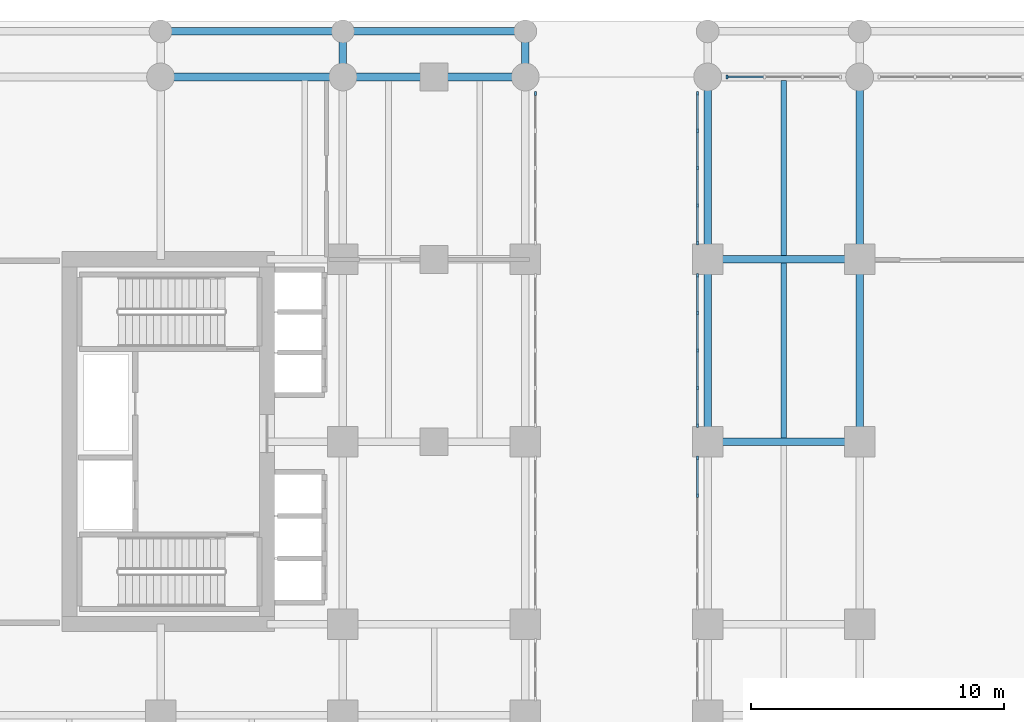
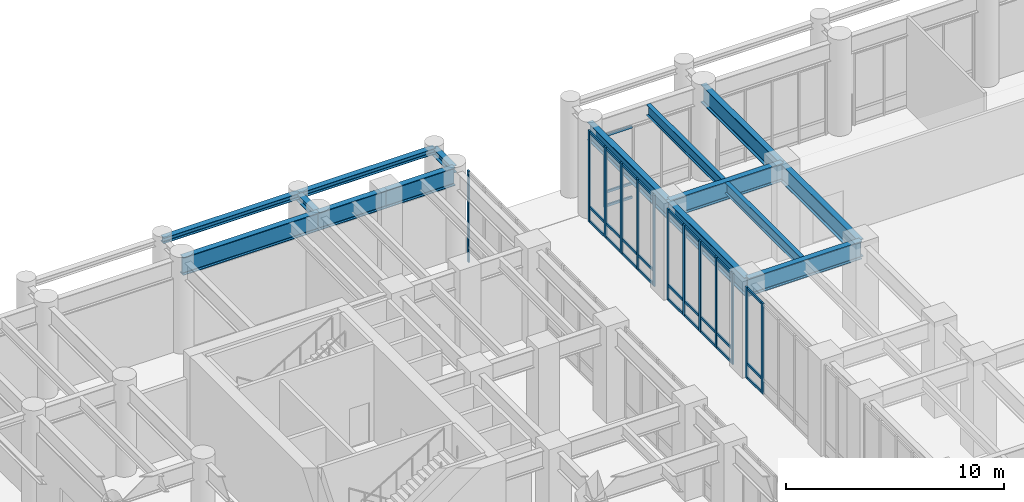
# One storey, part 7 of 23: 44 members, 15 beams, 5 elements without a shape of their own.
"""IFC4 building model written with IfcOpenShell, lengths in metres."""

from ifc_helpers import new_model, si_unit, derived_unit, direction, frame, origin, origin_2d, place, context, subcontext, project, spatial, rectangle, i_section, extrude, source, transform, mapped, material, layer, layer_set, material_profile, profile_set, type_object, type_shapes, element, aggregate, save


model = new_model("IFC4")

# Units and contexts
model_context = context("Model", 3, precision=1e-05, world=origin(), true_north=direction((0.0, 1.0)))
body_context = subcontext(model_context, "Body", "Model", "MODEL_VIEW")
ifc_project = project(units=[si_unit("LENGTHUNIT", "METRE"), si_unit("AREAUNIT", "SQUARE_METRE"), si_unit("VOLUMEUNIT", "CUBIC_METRE"), si_unit("PLANEANGLEUNIT", "RADIAN"), si_unit("MASSUNIT", "GRAM", prefix="KILO"), si_unit("THERMODYNAMICTEMPERATUREUNIT", "KELVIN"), si_unit("POWERUNIT", "WATT"), derived_unit("THERMALTRANSMITTANCEUNIT", [(si_unit("POWERUNIT", "WATT"), 1), (si_unit("AREAUNIT", "SQUARE_METRE"), -1), (si_unit("THERMODYNAMICTEMPERATUREUNIT", "KELVIN"), -1)])], contexts=[model_context])

# Site, building, storey
site_placement = place(None, origin())
site = spatial("IfcSite", under=ifc_project, at=site_placement, CompositionType="ELEMENT")
building_placement = place(site_placement, origin())
building = spatial("IfcBuilding", under=site, at=building_placement, Name="Zahravan Archway Hotel and Residences", CompositionType="ELEMENT")
storey_placement = place(building_placement, origin())
storey = spatial("IfcBuildingStorey", under=building, at=storey_placement, Name="L00", CompositionType="ELEMENT", Elevation=0.0)

# Beams
ifc_material_1 = material(Name="Structural Steel S355J2", Category="steel")
ifc_material_profile_1 = material_profile(ifc_material_1, i_section(OverallWidth=0.300048828125, OverallDepth=1.0, WebThickness=0.01904296875, FlangeThickness=0.035888671875, FilletRadius=0.030029296875, at=origin_2d()), Name="HEB 1000", Category="steel")
ifc_profile_set_1 = profile_set([ifc_material_profile_1], Name="Structural Steel S355J2")
beam_type_1 = type_object("IfcBeamType", Name="BM-PRI-HEB1000", PredefinedType="BEAM", material=ifc_profile_set_1)
shared_shape_1 = source(origin(), body_context, "Body", "SweptSolid", [
    extrude(i_section(OverallWidth=0.300048828125, OverallDepth=1.0, WebThickness=0.01904296875, FlangeThickness=0.035888671875, FilletRadius=0.030029296875, at=origin_2d()), origin(), (0.0, 0.0, 1.0), 7.199951171875),
])
for number, where, z_axis, x_axis, name in (
    (1, (7.199951171875, 46.800048828125, 4.60009765625), (1.0, 0.0, 0.0), (0.0, 1.0, 0.0), "L00 Primary Girder EW-53"),
    (2, (28.800048828125, 39.60009765625, 4.60009765625), (0.0, 1.0, 0.0), (-1.0, 0.0, 0.0), "L00 Primary Girder NS-101"),
    (3, (34.800048828125, 39.60009765625, 4.60009765625), (0.0, 1.0, 0.0), (-1.0, 0.0, 0.0), "L00 Primary Girder NS-106"),
):
    element("IfcBeam", number, at=place(storey_placement, frame(where, z_axis=z_axis, x_axis=x_axis)), inside=storey, type_object=beam_type_1, Name=name, PredefinedType="BEAM", context=body_context, shape_type="MappedRepresentation", body=[
        mapped(shared_shape_1, transform((0.0, 0.0, 0.0), scale=1.0)),
    ])
shared_shape_2 = source(origin(), body_context, "Body", "SweptSolid", [
    extrude(i_section(OverallWidth=0.300048828125, OverallDepth=1.0, WebThickness=0.01904296875, FlangeThickness=0.035888671875, FilletRadius=0.030029296875, at=origin_2d()), origin(), (0.0, 0.0, 1.0), 7.2001953125),
])
for number, where, z_axis, x_axis, name in (
    (4, (28.800048828125, 32.39990234375, 4.60009765625), (0.0, 1.0, 0.0), (-1.0, 0.0, 0.0), "L00 Primary Girder NS-100"),
    (5, (34.800048828125, 32.39990234375, 4.60009765625), (0.0, 1.0, 0.0), (-1.0, 0.0, 0.0), "L00 Primary Girder NS-105"),
):
    element("IfcBeam", number, at=place(storey_placement, frame(where, z_axis=z_axis, x_axis=x_axis)), inside=storey, type_object=beam_type_1, Name=name, PredefinedType="BEAM", context=body_context, shape_type="MappedRepresentation", body=[
        mapped(shared_shape_2, transform((0.0, 0.0, 0.0), scale=1.0)),
    ])
shared_shape_3 = source(origin(), body_context, "Body", "SweptSolid", [
    extrude(i_section(OverallWidth=0.300048828125, OverallDepth=1.0, WebThickness=0.01904296875, FlangeThickness=0.035888671875, FilletRadius=0.030029296875, at=origin_2d()), origin(), (0.0, 0.0, 1.0), 6.0),
])
for number, where, z_axis, x_axis, name in (
    (6, (28.800048828125, 32.39990234375, 4.60009765625), (1.0, 0.0, 0.0), (0.0, 1.0, 0.0), "L00 Primary Girder EW-45"),
    (7, (28.800048828125, 39.60009765625, 4.60009765625), (1.0, 0.0, 0.0), (0.0, 1.0, 0.0), "L00 Primary Girder EW-50"),
):
    element("IfcBeam", number, at=place(storey_placement, frame(where, z_axis=z_axis, x_axis=x_axis)), inside=storey, type_object=beam_type_1, Name=name, PredefinedType="BEAM", context=body_context, shape_type="MappedRepresentation", body=[
        mapped(shared_shape_3, transform((0.0, 0.0, 0.0), scale=1.0)),
    ])
shared_shape_4 = source(origin(), body_context, "Body", "SweptSolid", [
    extrude(i_section(OverallWidth=0.300048828125, OverallDepth=1.0, WebThickness=0.01904296875, FlangeThickness=0.035888671875, FilletRadius=0.030029296875, at=origin_2d()), origin(), (0.0, 0.0, 1.0), 3.60009765625),
])
for number, where, z_axis, x_axis, name in (
    (8, (14.39990234375, 46.800048828125, 4.60009765625), (1.0, 0.0, 0.0), (0.0, 1.0, 0.0), "L00 Primary Girder EW-54"),
    (9, (18.0, 46.800048828125, 4.60009765625), (1.0, 0.0, 0.0), (0.0, 1.0, 0.0), "L00 Primary Girder EW-55"),
):
    element("IfcBeam", number, at=place(storey_placement, frame(where, z_axis=z_axis, x_axis=x_axis)), inside=storey, type_object=beam_type_1, Name=name, PredefinedType="BEAM", context=body_context, shape_type="MappedRepresentation", body=[
        mapped(shared_shape_4, transform((0.0, 0.0, 0.0), scale=1.0)),
    ])
ifc_material_2 = material(Name="Structural Steel S355JR", Category="steel")
ifc_material_profile_2 = material_profile(ifc_material_2, i_section(OverallWidth=0.219970703125, OverallDepth=0.60009765625, WebThickness=0.011962890625, FlangeThickness=0.01904296875, FilletRadius=0.02392578125, at=origin_2d()), Name="IPE 600", Category="steel")
ifc_profile_set_2 = profile_set([ifc_material_profile_2], Name="Structural Steel S355JR")
beam_type_2 = type_object("IfcBeamType", Name="BM-JST-IPE600", PredefinedType="JOIST", material=ifc_profile_set_2)
shared_shape_5 = source(origin(), body_context, "Body", "SweptSolid", [
    extrude(i_section(OverallWidth=0.219970703125, OverallDepth=0.60009765625, WebThickness=0.011962890625, FlangeThickness=0.01904296875, FilletRadius=0.02392578125, at=origin_2d()), origin(), (0.0, 0.0, 1.0), 6.904052734375),
])
type_shapes(beam_type_2, [shared_shape_5])
beam_1_placement = place(storey_placement, frame((31.800048828125, 39.748046875, 4.800048828125), z_axis=(0.0, 1.0, 0.0), x_axis=(-1.0, 0.0, 0.0)))
element("IfcBeam", 10, at=beam_1_placement, inside=storey, type_object=beam_type_2, Name="L00 Composite Floor Joist 38", PredefinedType="JOIST", context=body_context, shape_type="MappedRepresentation", body=[
    mapped(shared_shape_5, transform((0.0, 0.0, 0.0), scale=1.0)),
])
shared_shape_6 = source(origin(), body_context, "Body", "SweptSolid", [
    extrude(i_section(OverallWidth=0.219970703125, OverallDepth=0.60009765625, WebThickness=0.011962890625, FlangeThickness=0.01904296875, FilletRadius=0.02392578125, at=origin_2d()), origin(), (0.0, 0.0, 1.0), 6.90380859375),
])
beam_2_placement = place(storey_placement, frame((31.800048828125, 32.548095703125, 4.800048828125), z_axis=(0.0, 1.0, 0.0), x_axis=(-1.0, 0.0, 0.0)))
element("IfcBeam", 11, at=beam_2_placement, inside=storey, type_object=beam_type_2, Name="L00 Composite Floor Joist 33", PredefinedType="JOIST", context=body_context, shape_type="MappedRepresentation", body=[
    mapped(shared_shape_6, transform((0.0, 0.0, 0.0), scale=1.0)),
])
ifc_material_profile_3 = material_profile(ifc_material_2, i_section(OverallWidth=0.300048828125, OverallDepth=0.320068359375, WebThickness=0.011474609375, FlangeThickness=0.0205078125, FilletRadius=0.027099609375, at=origin_2d()), Name="HEB 320", Category="steel")
ifc_profile_set_3 = profile_set([ifc_material_profile_3], Name="Structural Steel S355JR")
beam_type_3 = type_object("IfcBeamType", Name="BM-SPN-HEB320", PredefinedType="SPANDREL", material=ifc_profile_set_3)
shared_shape_7 = source(origin(), body_context, "Body", "SweptSolid", [
    extrude(i_section(OverallWidth=0.300048828125, OverallDepth=0.320068359375, WebThickness=0.011474609375, FlangeThickness=0.0205078125, FilletRadius=0.027099609375, at=origin_2d()), origin(), (0.0, 0.0, 1.0), 7.199951171875),
])
type_shapes(beam_type_3, [shared_shape_7])
beam_3_placement = place(storey_placement, frame((7.199951171875, 48.60009765625, 4.93994140625), z_axis=(1.0, 0.0, 0.0), x_axis=(0.0, 1.0, 0.0)))
element("IfcBeam", 12, at=beam_3_placement, inside=storey, type_object=beam_type_3, Name="L00 North Colonnade Spandrel 2", PredefinedType="SPANDREL", context=body_context, shape_type="MappedRepresentation", body=[
    mapped(shared_shape_7, transform((0.0, 0.0, 0.0), scale=1.0)),
])
shared_shape_8 = source(origin(), body_context, "Body", "SweptSolid", [
    extrude(i_section(OverallWidth=0.300048828125, OverallDepth=0.320068359375, WebThickness=0.011474609375, FlangeThickness=0.0205078125, FilletRadius=0.027099609375, at=origin_2d()), origin(), (0.0, 0.0, 1.0), 7.2001953125),
])
beam_4_placement = place(storey_placement, frame((14.39990234375, 48.60009765625, 4.93994140625), z_axis=(1.0, 0.0, 0.0), x_axis=(0.0, 1.0, 0.0)))
element("IfcBeam", 13, at=beam_4_placement, inside=storey, type_object=beam_type_3, Name="L00 North Colonnade Spandrel 3", PredefinedType="SPANDREL", context=body_context, shape_type="MappedRepresentation", body=[
    mapped(shared_shape_8, transform((0.0, 0.0, 0.0), scale=1.0)),
])
ifc_material_profile_4 = material_profile(ifc_material_2, i_section(OverallWidth=0.300048828125, OverallDepth=0.39990234375, WebThickness=0.013427734375, FlangeThickness=0.02392578125, FilletRadius=0.027099609375, at=origin_2d()), Name="HEB 400", Category="steel")
ifc_profile_set_4 = profile_set([ifc_material_profile_4], Name="Structural Steel S355JR")
beam_type_4 = type_object("IfcBeamType", Name="BM-PRI-HEB400", PredefinedType="BEAM", material=ifc_profile_set_4)
shared_shape_9 = source(origin(), body_context, "Body", "SweptSolid", [
    extrude(i_section(OverallWidth=0.300048828125, OverallDepth=0.39990234375, WebThickness=0.013427734375, FlangeThickness=0.02392578125, FilletRadius=0.027099609375, at=origin_2d()), origin(), (0.0, 0.0, 1.0), 1.800048828125),
])
for number, where, z_axis, x_axis, name in (
    (14, (14.39990234375, 46.800048828125, 4.89990234375), (0.0, 1.0, 0.0), (-1.0, 0.0, 0.0), "L00 North Colonnade Tie Girder 3"),
    (15, (21.60009765625, 46.800048828125, 4.89990234375), (0.0, 1.0, 0.0), (-1.0, 0.0, 0.0), "L00 North Colonnade Tie Girder 4"),
):
    element("IfcBeam", number, at=place(storey_placement, frame(where, z_axis=z_axis, x_axis=x_axis)), inside=storey, type_object=beam_type_4, Name=name, PredefinedType="BEAM", context=body_context, shape_type="MappedRepresentation", body=[
        mapped(shared_shape_9, transform((0.0, 0.0, 0.0), scale=1.0)),
    ])

# Curtain wall, members
ifc_material_3 = material(Name="Bronze-Anodized Unitised Aluminium & Low-E Glass", Category="aluminium")
ifc_layer = layer(ifc_material_3, 0.179931640625, Name="Bronze-Anodized Unitised Aluminium & Low-E Glass", Category="aluminium")
ifc_layer_set = layer_set([ifc_layer], Name="Bronze-Anodized Unitised Aluminium & Low-E Glass")
curtain_wall_type = type_object("IfcCurtainWallType", Name="CW-POD-ARCH", PredefinedType="NOTDEFINED", material=ifc_layer_set)
curtain_wall_1_placement = place(storey_placement, origin())
curtain_wall_1 = element("IfcCurtainWall", 16, at=curtain_wall_1_placement, inside=storey, type_object=curtain_wall_type, Name="L00 Curtain Wall CW-POD-L00-1", PredefinedType="NOTDEFINED")
ifc_material_4 = material(Name="Bronze-Anodized Extruded Aluminium", Category="aluminium")
ifc_material_profile_5 = material_profile(ifc_material_4, rectangle(XDim=0.080078125, YDim=0.159912109375, at=origin_2d()), Name="MUL 80x160", Category="aluminium")
ifc_profile_set_5 = profile_set([ifc_material_profile_5], Name="Bronze-Anodized Extruded Aluminium")
member_type_1 = type_object("IfcMemberType", Name="CWM-MUL-160", PredefinedType="MULLION", material=ifc_profile_set_5)
shared_shape_10 = source(origin(), body_context, "Body", "SweptSolid", [
    extrude(rectangle(XDim=0.080078125, YDim=0.159912109375, at=origin_2d()), origin(), (0.0, 0.0, 1.0), 4.0849609375),
])
type_shapes(member_type_1, [shared_shape_10])
member_1_placement = place(storey_placement, frame((29.56005859375, 46.800048828125, 0.0), z_axis=(0.0, 0.0, 1.0), x_axis=(1.0, 0.0, 0.0)))
member_1 = element("IfcMember", 17, at=member_1_placement, type_object=member_type_1, Name="CW-POD-L00-1 Mullion 0", PredefinedType="MULLION", context=body_context, shape_type="MappedRepresentation", body=[
    mapped(shared_shape_10, transform((0.0, 0.0, 0.0), scale=1.0)),
])
ifc_material_profile_6 = material_profile(ifc_material_4, rectangle(XDim=0.080078125, YDim=0.139892578125, at=origin_2d()), Name="TRN 80x140", Category="aluminium")
ifc_profile_set_6 = profile_set([ifc_material_profile_6], Name="Bronze-Anodized Extruded Aluminium")
member_type_2 = type_object("IfcMemberType", Name="CWM-TRN-140", PredefinedType="USERDEFINED", material=ifc_profile_set_6)
shared_shape_11 = source(origin(), body_context, "Body", "SweptSolid", [
    extrude(rectangle(XDim=0.080078125, YDim=0.139892578125, at=origin_2d()), origin(), (0.0, 0.0, 1.0), 1.4130859375),
])
type_shapes(member_type_2, [shared_shape_11])
member_2_placement = place(storey_placement, frame((29.60009765625, 46.800048828125, 0.070068359375), z_axis=(1.0, 0.0, 0.0), x_axis=(0.0, 1.0, 0.0)))
member_2 = element("IfcMember", 18, at=member_2_placement, type_object=member_type_2, Name="CW-POD-L00-1 Transom 0-1", ObjectType="TRANSOM", PredefinedType="USERDEFINED", context=body_context, shape_type="MappedRepresentation", body=[
    mapped(shared_shape_11, transform((0.0, 0.0, 0.0), scale=1.0)),
])
member_3_placement = place(storey_placement, frame((29.60009765625, 46.800048828125, 0.85009765625), z_axis=(1.0, 0.0, 0.0), x_axis=(0.0, 1.0, 0.0)))
member_3 = element("IfcMember", 19, at=member_3_placement, type_object=member_type_2, Name="CW-POD-L00-1 Transom 0-2", ObjectType="TRANSOM", PredefinedType="USERDEFINED", context=body_context, shape_type="MappedRepresentation", body=[
    mapped(shared_shape_11, transform((0.0, 0.0, 0.0), scale=1.0)),
])
member_4_placement = place(storey_placement, frame((29.60009765625, 46.800048828125, 4.014892578125), z_axis=(1.0, 0.0, 0.0), x_axis=(0.0, 1.0, 0.0)))
member_4 = element("IfcMember", 20, at=member_4_placement, type_object=member_type_2, Name="CW-POD-L00-1 Transom 0-3", ObjectType="TRANSOM", PredefinedType="USERDEFINED", context=body_context, shape_type="MappedRepresentation", body=[
    mapped(shared_shape_11, transform((0.0, 0.0, 0.0), scale=1.0)),
])
aggregate(curtain_wall_1, [member_1, member_2, member_3, member_4])

# Curtain wall, member
curtain_wall_2_placement = place(storey_placement, origin())
curtain_wall_2 = element("IfcCurtainWall", 21, at=curtain_wall_2_placement, inside=storey, type_object=curtain_wall_type, Name="L00 Curtain Wall CW-PORTW-L00-7", PredefinedType="NOTDEFINED")
shared_shape_12 = source(origin(), body_context, "Body", "SweptSolid", [
    extrude(rectangle(XDim=0.080078125, YDim=0.159912109375, at=origin_2d()), origin(), (0.0, 0.0, 1.0), 5.10009765625),
])
member_5_placement = place(storey_placement, frame((22.0, 46.15478515625, 0.0), z_axis=(0.0, 0.0, 1.0), x_axis=(1.0, 0.0, 0.0)))
member_5 = element("IfcMember", 22, at=member_5_placement, type_object=member_type_1, Name="CW-PORTW-L00-7 Mullion 4", PredefinedType="MULLION", context=body_context, shape_type="MappedRepresentation", body=[
    mapped(shared_shape_12, transform((0.0, 0.0, 0.0), scale=1.0)),
])
aggregate(curtain_wall_2, [member_5])

# Curtain wall, members
curtain_wall_3_placement = place(storey_placement, origin())
curtain_wall_3 = element("IfcCurtainWall", 23, at=curtain_wall_3_placement, inside=storey, type_object=curtain_wall_type, Name="L00 Curtain Wall CW-PORTE-L00-5", PredefinedType="NOTDEFINED")
member_6_placement = place(storey_placement, frame((28.39990234375, 30.27734375, 0.0), z_axis=(0.0, 0.0, 1.0), x_axis=(1.0, 0.0, 0.0)))
member_6 = element("IfcMember", 24, at=member_6_placement, type_object=member_type_1, Name="CW-PORTE-L00-5 Mullion 3", PredefinedType="MULLION", context=body_context, shape_type="MappedRepresentation", body=[
    mapped(shared_shape_12, transform((0.0, 0.0, 0.0), scale=1.0)),
])
member_7_placement = place(storey_placement, frame((28.39990234375, 31.7548828125, 0.0), z_axis=(0.0, 0.0, 1.0), x_axis=(1.0, 0.0, 0.0)))
member_7 = element("IfcMember", 25, at=member_7_placement, type_object=member_type_1, Name="CW-PORTE-L00-5 Mullion 4", PredefinedType="MULLION", context=body_context, shape_type="MappedRepresentation", body=[
    mapped(shared_shape_12, transform((0.0, 0.0, 0.0), scale=1.0)),
])

curtain_wall_4_placement = place(storey_placement, origin())
curtain_wall_4 = element("IfcCurtainWall", 26, at=curtain_wall_4_placement, inside=storey, type_object=curtain_wall_type, Name="L00 Curtain Wall CW-PORTE-L00-6", PredefinedType="NOTDEFINED")
member_8_placement = place(storey_placement, frame((28.39990234375, 33.045166015625, 0.0), z_axis=(0.0, 0.0, 1.0), x_axis=(1.0, 0.0, 0.0)))
member_8 = element("IfcMember", 27, at=member_8_placement, type_object=member_type_1, Name="CW-PORTE-L00-6 Mullion 0", PredefinedType="MULLION", context=body_context, shape_type="MappedRepresentation", body=[
    mapped(shared_shape_12, transform((0.0, 0.0, 0.0), scale=1.0)),
])
member_9_placement = place(storey_placement, frame((28.39990234375, 34.522705078125, 0.0), z_axis=(0.0, 0.0, 1.0), x_axis=(1.0, 0.0, 0.0)))
member_9 = element("IfcMember", 28, at=member_9_placement, type_object=member_type_1, Name="CW-PORTE-L00-6 Mullion 1", PredefinedType="MULLION", context=body_context, shape_type="MappedRepresentation", body=[
    mapped(shared_shape_12, transform((0.0, 0.0, 0.0), scale=1.0)),
])
member_10_placement = place(storey_placement, frame((28.39990234375, 36.0, 0.0), z_axis=(0.0, 0.0, 1.0), x_axis=(1.0, 0.0, 0.0)))
member_10 = element("IfcMember", 29, at=member_10_placement, type_object=member_type_1, Name="CW-PORTE-L00-6 Mullion 2", PredefinedType="MULLION", context=body_context, shape_type="MappedRepresentation", body=[
    mapped(shared_shape_12, transform((0.0, 0.0, 0.0), scale=1.0)),
])
member_11_placement = place(storey_placement, frame((28.39990234375, 37.477294921875, 0.0), z_axis=(0.0, 0.0, 1.0), x_axis=(1.0, 0.0, 0.0)))
member_11 = element("IfcMember", 30, at=member_11_placement, type_object=member_type_1, Name="CW-PORTE-L00-6 Mullion 3", PredefinedType="MULLION", context=body_context, shape_type="MappedRepresentation", body=[
    mapped(shared_shape_12, transform((0.0, 0.0, 0.0), scale=1.0)),
])
member_12_placement = place(storey_placement, frame((28.39990234375, 38.954833984375, 0.0), z_axis=(0.0, 0.0, 1.0), x_axis=(1.0, 0.0, 0.0)))
member_12 = element("IfcMember", 31, at=member_12_placement, type_object=member_type_1, Name="CW-PORTE-L00-6 Mullion 4", PredefinedType="MULLION", context=body_context, shape_type="MappedRepresentation", body=[
    mapped(shared_shape_12, transform((0.0, 0.0, 0.0), scale=1.0)),
])

curtain_wall_5_placement = place(storey_placement, origin())
curtain_wall_5 = element("IfcCurtainWall", 32, at=curtain_wall_5_placement, inside=storey, type_object=curtain_wall_type, Name="L00 Curtain Wall CW-PORTE-L00-7", PredefinedType="NOTDEFINED")
member_13_placement = place(storey_placement, frame((28.39990234375, 40.2451171875, 0.0), z_axis=(0.0, 0.0, 1.0), x_axis=(1.0, 0.0, 0.0)))
member_13 = element("IfcMember", 33, at=member_13_placement, type_object=member_type_1, Name="CW-PORTE-L00-7 Mullion 0", PredefinedType="MULLION", context=body_context, shape_type="MappedRepresentation", body=[
    mapped(shared_shape_12, transform((0.0, 0.0, 0.0), scale=1.0)),
])
member_14_placement = place(storey_placement, frame((28.39990234375, 41.72265625, 0.0), z_axis=(0.0, 0.0, 1.0), x_axis=(1.0, 0.0, 0.0)))
member_14 = element("IfcMember", 34, at=member_14_placement, type_object=member_type_1, Name="CW-PORTE-L00-7 Mullion 1", PredefinedType="MULLION", context=body_context, shape_type="MappedRepresentation", body=[
    mapped(shared_shape_12, transform((0.0, 0.0, 0.0), scale=1.0)),
])
member_15_placement = place(storey_placement, frame((28.39990234375, 43.199951171875, 0.0), z_axis=(0.0, 0.0, 1.0), x_axis=(1.0, 0.0, 0.0)))
member_15 = element("IfcMember", 35, at=member_15_placement, type_object=member_type_1, Name="CW-PORTE-L00-7 Mullion 2", PredefinedType="MULLION", context=body_context, shape_type="MappedRepresentation", body=[
    mapped(shared_shape_12, transform((0.0, 0.0, 0.0), scale=1.0)),
])
member_16_placement = place(storey_placement, frame((28.39990234375, 44.677490234375, 0.0), z_axis=(0.0, 0.0, 1.0), x_axis=(1.0, 0.0, 0.0)))
member_16 = element("IfcMember", 36, at=member_16_placement, type_object=member_type_1, Name="CW-PORTE-L00-7 Mullion 3", PredefinedType="MULLION", context=body_context, shape_type="MappedRepresentation", body=[
    mapped(shared_shape_12, transform((0.0, 0.0, 0.0), scale=1.0)),
])
member_17_placement = place(storey_placement, frame((28.39990234375, 46.15478515625, 0.0), z_axis=(0.0, 0.0, 1.0), x_axis=(1.0, 0.0, 0.0)))
member_17 = element("IfcMember", 37, at=member_17_placement, type_object=member_type_1, Name="CW-PORTE-L00-7 Mullion 4", PredefinedType="MULLION", context=body_context, shape_type="MappedRepresentation", body=[
    mapped(shared_shape_12, transform((0.0, 0.0, 0.0), scale=1.0)),
])
shared_shape_13 = source(origin(), body_context, "Body", "SweptSolid", [
    extrude(rectangle(XDim=0.080078125, YDim=0.139892578125, at=origin_2d()), origin(), (0.0, 0.0, 1.0), 1.397216796875),
])
member_18_placement = place(storey_placement, frame((28.39990234375, 41.7626953125, 0.070068359375), z_axis=(0.0, 1.0, 0.0), x_axis=(-1.0, 0.0, 0.0)))
member_18 = element("IfcMember", 38, at=member_18_placement, type_object=member_type_2, Name="CW-PORTE-L00-7 Transom 1-1", ObjectType="TRANSOM", PredefinedType="USERDEFINED", context=body_context, shape_type="MappedRepresentation", body=[
    mapped(shared_shape_13, transform((0.0, 0.0, 0.0), scale=1.0)),
])
member_19_placement = place(storey_placement, frame((28.39990234375, 41.7626953125, 0.85009765625), z_axis=(0.0, 1.0, 0.0), x_axis=(-1.0, 0.0, 0.0)))
member_19 = element("IfcMember", 39, at=member_19_placement, type_object=member_type_2, Name="CW-PORTE-L00-7 Transom 1-2", ObjectType="TRANSOM", PredefinedType="USERDEFINED", context=body_context, shape_type="MappedRepresentation", body=[
    mapped(shared_shape_13, transform((0.0, 0.0, 0.0), scale=1.0)),
])
member_20_placement = place(storey_placement, frame((28.39990234375, 41.7626953125, 5.030029296875), z_axis=(0.0, 1.0, 0.0), x_axis=(-1.0, 0.0, 0.0)))
member_20 = element("IfcMember", 40, at=member_20_placement, type_object=member_type_2, Name="CW-PORTE-L00-7 Transom 1-3", ObjectType="TRANSOM", PredefinedType="USERDEFINED", context=body_context, shape_type="MappedRepresentation", body=[
    mapped(shared_shape_13, transform((0.0, 0.0, 0.0), scale=1.0)),
])

# Member
shared_shape_14 = source(origin(), body_context, "Body", "SweptSolid", [
    extrude(rectangle(XDim=0.080078125, YDim=0.139892578125, at=origin_2d()), origin(), (0.0, 0.0, 1.0), 1.3974609375),
])
member_21_placement = place(storey_placement, frame((28.39990234375, 30.3173828125, 0.070068359375), z_axis=(0.0, 1.0, 0.0), x_axis=(-1.0, 0.0, 0.0)))
member_21 = element("IfcMember", 41, at=member_21_placement, type_object=member_type_2, Name="CW-PORTE-L00-5 Transom 3-1", ObjectType="TRANSOM", PredefinedType="USERDEFINED", context=body_context, shape_type="MappedRepresentation", body=[
    mapped(shared_shape_14, transform((0.0, 0.0, 0.0), scale=1.0)),
])

member_22_placement = place(storey_placement, frame((28.39990234375, 30.3173828125, 0.85009765625), z_axis=(0.0, 1.0, 0.0), x_axis=(-1.0, 0.0, 0.0)))
member_22 = element("IfcMember", 42, at=member_22_placement, type_object=member_type_2, Name="CW-PORTE-L00-5 Transom 3-2", ObjectType="TRANSOM", PredefinedType="USERDEFINED", context=body_context, shape_type="MappedRepresentation", body=[
    mapped(shared_shape_14, transform((0.0, 0.0, 0.0), scale=1.0)),
])

member_23_placement = place(storey_placement, frame((28.39990234375, 30.3173828125, 5.030029296875), z_axis=(0.0, 1.0, 0.0), x_axis=(-1.0, 0.0, 0.0)))
member_23 = element("IfcMember", 43, at=member_23_placement, type_object=member_type_2, Name="CW-PORTE-L00-5 Transom 3-3", ObjectType="TRANSOM", PredefinedType="USERDEFINED", context=body_context, shape_type="MappedRepresentation", body=[
    mapped(shared_shape_14, transform((0.0, 0.0, 0.0), scale=1.0)),
])

aggregate(curtain_wall_3, [member_6, member_7, member_21, member_22, member_23])

member_24_placement = place(storey_placement, frame((28.39990234375, 33.085205078125, 0.070068359375), z_axis=(0.0, 1.0, 0.0), x_axis=(-1.0, 0.0, 0.0)))
member_24 = element("IfcMember", 44, at=member_24_placement, type_object=member_type_2, Name="CW-PORTE-L00-6 Transom 0-1", ObjectType="TRANSOM", PredefinedType="USERDEFINED", context=body_context, shape_type="MappedRepresentation", body=[
    mapped(shared_shape_14, transform((0.0, 0.0, 0.0), scale=1.0)),
])

member_25_placement = place(storey_placement, frame((28.39990234375, 33.085205078125, 0.85009765625), z_axis=(0.0, 1.0, 0.0), x_axis=(-1.0, 0.0, 0.0)))
member_25 = element("IfcMember", 45, at=member_25_placement, type_object=member_type_2, Name="CW-PORTE-L00-6 Transom 0-2", ObjectType="TRANSOM", PredefinedType="USERDEFINED", context=body_context, shape_type="MappedRepresentation", body=[
    mapped(shared_shape_14, transform((0.0, 0.0, 0.0), scale=1.0)),
])

member_26_placement = place(storey_placement, frame((28.39990234375, 33.085205078125, 5.030029296875), z_axis=(0.0, 1.0, 0.0), x_axis=(-1.0, 0.0, 0.0)))
member_26 = element("IfcMember", 46, at=member_26_placement, type_object=member_type_2, Name="CW-PORTE-L00-6 Transom 0-3", ObjectType="TRANSOM", PredefinedType="USERDEFINED", context=body_context, shape_type="MappedRepresentation", body=[
    mapped(shared_shape_14, transform((0.0, 0.0, 0.0), scale=1.0)),
])

member_27_placement = place(storey_placement, frame((28.39990234375, 34.5625, 0.070068359375), z_axis=(0.0, 1.0, 0.0), x_axis=(-1.0, 0.0, 0.0)))
member_27 = element("IfcMember", 47, at=member_27_placement, type_object=member_type_2, Name="CW-PORTE-L00-6 Transom 1-1", ObjectType="TRANSOM", PredefinedType="USERDEFINED", context=body_context, shape_type="MappedRepresentation", body=[
    mapped(shared_shape_14, transform((0.0, 0.0, 0.0), scale=1.0)),
])

member_28_placement = place(storey_placement, frame((28.39990234375, 34.5625, 0.85009765625), z_axis=(0.0, 1.0, 0.0), x_axis=(-1.0, 0.0, 0.0)))
member_28 = element("IfcMember", 48, at=member_28_placement, type_object=member_type_2, Name="CW-PORTE-L00-6 Transom 1-2", ObjectType="TRANSOM", PredefinedType="USERDEFINED", context=body_context, shape_type="MappedRepresentation", body=[
    mapped(shared_shape_14, transform((0.0, 0.0, 0.0), scale=1.0)),
])

member_29_placement = place(storey_placement, frame((28.39990234375, 34.5625, 5.030029296875), z_axis=(0.0, 1.0, 0.0), x_axis=(-1.0, 0.0, 0.0)))
member_29 = element("IfcMember", 49, at=member_29_placement, type_object=member_type_2, Name="CW-PORTE-L00-6 Transom 1-3", ObjectType="TRANSOM", PredefinedType="USERDEFINED", context=body_context, shape_type="MappedRepresentation", body=[
    mapped(shared_shape_14, transform((0.0, 0.0, 0.0), scale=1.0)),
])

member_30_placement = place(storey_placement, frame((28.39990234375, 36.0400390625, 0.070068359375), z_axis=(0.0, 1.0, 0.0), x_axis=(-1.0, 0.0, 0.0)))
member_30 = element("IfcMember", 50, at=member_30_placement, type_object=member_type_2, Name="CW-PORTE-L00-6 Transom 2-1", ObjectType="TRANSOM", PredefinedType="USERDEFINED", context=body_context, shape_type="MappedRepresentation", body=[
    mapped(shared_shape_14, transform((0.0, 0.0, 0.0), scale=1.0)),
])

member_31_placement = place(storey_placement, frame((28.39990234375, 36.0400390625, 0.85009765625), z_axis=(0.0, 1.0, 0.0), x_axis=(-1.0, 0.0, 0.0)))
member_31 = element("IfcMember", 51, at=member_31_placement, type_object=member_type_2, Name="CW-PORTE-L00-6 Transom 2-2", ObjectType="TRANSOM", PredefinedType="USERDEFINED", context=body_context, shape_type="MappedRepresentation", body=[
    mapped(shared_shape_14, transform((0.0, 0.0, 0.0), scale=1.0)),
])

member_32_placement = place(storey_placement, frame((28.39990234375, 36.0400390625, 5.030029296875), z_axis=(0.0, 1.0, 0.0), x_axis=(-1.0, 0.0, 0.0)))
member_32 = element("IfcMember", 52, at=member_32_placement, type_object=member_type_2, Name="CW-PORTE-L00-6 Transom 2-3", ObjectType="TRANSOM", PredefinedType="USERDEFINED", context=body_context, shape_type="MappedRepresentation", body=[
    mapped(shared_shape_14, transform((0.0, 0.0, 0.0), scale=1.0)),
])

member_33_placement = place(storey_placement, frame((28.39990234375, 37.517333984375, 0.070068359375), z_axis=(0.0, 1.0, 0.0), x_axis=(-1.0, 0.0, 0.0)))
member_33 = element("IfcMember", 53, at=member_33_placement, type_object=member_type_2, Name="CW-PORTE-L00-6 Transom 3-1", ObjectType="TRANSOM", PredefinedType="USERDEFINED", context=body_context, shape_type="MappedRepresentation", body=[
    mapped(shared_shape_14, transform((0.0, 0.0, 0.0), scale=1.0)),
])

member_34_placement = place(storey_placement, frame((28.39990234375, 37.517333984375, 0.85009765625), z_axis=(0.0, 1.0, 0.0), x_axis=(-1.0, 0.0, 0.0)))
member_34 = element("IfcMember", 54, at=member_34_placement, type_object=member_type_2, Name="CW-PORTE-L00-6 Transom 3-2", ObjectType="TRANSOM", PredefinedType="USERDEFINED", context=body_context, shape_type="MappedRepresentation", body=[
    mapped(shared_shape_14, transform((0.0, 0.0, 0.0), scale=1.0)),
])

member_35_placement = place(storey_placement, frame((28.39990234375, 37.517333984375, 5.030029296875), z_axis=(0.0, 1.0, 0.0), x_axis=(-1.0, 0.0, 0.0)))
member_35 = element("IfcMember", 55, at=member_35_placement, type_object=member_type_2, Name="CW-PORTE-L00-6 Transom 3-3", ObjectType="TRANSOM", PredefinedType="USERDEFINED", context=body_context, shape_type="MappedRepresentation", body=[
    mapped(shared_shape_14, transform((0.0, 0.0, 0.0), scale=1.0)),
])

aggregate(curtain_wall_4, [member_8, member_9, member_10, member_11, member_12, member_24, member_25, member_26, member_27, member_28, member_29, member_30, member_31, member_32, member_33, member_34, member_35])

member_36_placement = place(storey_placement, frame((28.39990234375, 40.28515625, 0.070068359375), z_axis=(0.0, 1.0, 0.0), x_axis=(-1.0, 0.0, 0.0)))
member_36 = element("IfcMember", 56, at=member_36_placement, type_object=member_type_2, Name="CW-PORTE-L00-7 Transom 0-1", ObjectType="TRANSOM", PredefinedType="USERDEFINED", context=body_context, shape_type="MappedRepresentation", body=[
    mapped(shared_shape_14, transform((0.0, 0.0, 0.0), scale=1.0)),
])

member_37_placement = place(storey_placement, frame((28.39990234375, 40.28515625, 0.85009765625), z_axis=(0.0, 1.0, 0.0), x_axis=(-1.0, 0.0, 0.0)))
member_37 = element("IfcMember", 57, at=member_37_placement, type_object=member_type_2, Name="CW-PORTE-L00-7 Transom 0-2", ObjectType="TRANSOM", PredefinedType="USERDEFINED", context=body_context, shape_type="MappedRepresentation", body=[
    mapped(shared_shape_14, transform((0.0, 0.0, 0.0), scale=1.0)),
])

member_38_placement = place(storey_placement, frame((28.39990234375, 40.28515625, 5.030029296875), z_axis=(0.0, 1.0, 0.0), x_axis=(-1.0, 0.0, 0.0)))
member_38 = element("IfcMember", 58, at=member_38_placement, type_object=member_type_2, Name="CW-PORTE-L00-7 Transom 0-3", ObjectType="TRANSOM", PredefinedType="USERDEFINED", context=body_context, shape_type="MappedRepresentation", body=[
    mapped(shared_shape_14, transform((0.0, 0.0, 0.0), scale=1.0)),
])

member_39_placement = place(storey_placement, frame((28.39990234375, 43.239990234375, 0.070068359375), z_axis=(0.0, 1.0, 0.0), x_axis=(-1.0, 0.0, 0.0)))
member_39 = element("IfcMember", 59, at=member_39_placement, type_object=member_type_2, Name="CW-PORTE-L00-7 Transom 2-1", ObjectType="TRANSOM", PredefinedType="USERDEFINED", context=body_context, shape_type="MappedRepresentation", body=[
    mapped(shared_shape_14, transform((0.0, 0.0, 0.0), scale=1.0)),
])

member_40_placement = place(storey_placement, frame((28.39990234375, 43.239990234375, 0.85009765625), z_axis=(0.0, 1.0, 0.0), x_axis=(-1.0, 0.0, 0.0)))
member_40 = element("IfcMember", 60, at=member_40_placement, type_object=member_type_2, Name="CW-PORTE-L00-7 Transom 2-2", ObjectType="TRANSOM", PredefinedType="USERDEFINED", context=body_context, shape_type="MappedRepresentation", body=[
    mapped(shared_shape_14, transform((0.0, 0.0, 0.0), scale=1.0)),
])

member_41_placement = place(storey_placement, frame((28.39990234375, 43.239990234375, 5.030029296875), z_axis=(0.0, 1.0, 0.0), x_axis=(-1.0, 0.0, 0.0)))
member_41 = element("IfcMember", 61, at=member_41_placement, type_object=member_type_2, Name="CW-PORTE-L00-7 Transom 2-3", ObjectType="TRANSOM", PredefinedType="USERDEFINED", context=body_context, shape_type="MappedRepresentation", body=[
    mapped(shared_shape_14, transform((0.0, 0.0, 0.0), scale=1.0)),
])

member_42_placement = place(storey_placement, frame((28.39990234375, 44.71728515625, 0.070068359375), z_axis=(0.0, 1.0, 0.0), x_axis=(-1.0, 0.0, 0.0)))
member_42 = element("IfcMember", 62, at=member_42_placement, type_object=member_type_2, Name="CW-PORTE-L00-7 Transom 3-1", ObjectType="TRANSOM", PredefinedType="USERDEFINED", context=body_context, shape_type="MappedRepresentation", body=[
    mapped(shared_shape_14, transform((0.0, 0.0, 0.0), scale=1.0)),
])

member_43_placement = place(storey_placement, frame((28.39990234375, 44.71728515625, 0.85009765625), z_axis=(0.0, 1.0, 0.0), x_axis=(-1.0, 0.0, 0.0)))
member_43 = element("IfcMember", 63, at=member_43_placement, type_object=member_type_2, Name="CW-PORTE-L00-7 Transom 3-2", ObjectType="TRANSOM", PredefinedType="USERDEFINED", context=body_context, shape_type="MappedRepresentation", body=[
    mapped(shared_shape_14, transform((0.0, 0.0, 0.0), scale=1.0)),
])

member_44_placement = place(storey_placement, frame((28.39990234375, 44.71728515625, 5.030029296875), z_axis=(0.0, 1.0, 0.0), x_axis=(-1.0, 0.0, 0.0)))
member_44 = element("IfcMember", 64, at=member_44_placement, type_object=member_type_2, Name="CW-PORTE-L00-7 Transom 3-3", ObjectType="TRANSOM", PredefinedType="USERDEFINED", context=body_context, shape_type="MappedRepresentation", body=[
    mapped(shared_shape_14, transform((0.0, 0.0, 0.0), scale=1.0)),
])

aggregate(curtain_wall_5, [member_13, member_14, member_15, member_16, member_17, member_36, member_37, member_38, member_18, member_19, member_20, member_39, member_40, member_41, member_42, member_43, member_44])

save(model, "model.ifc")
